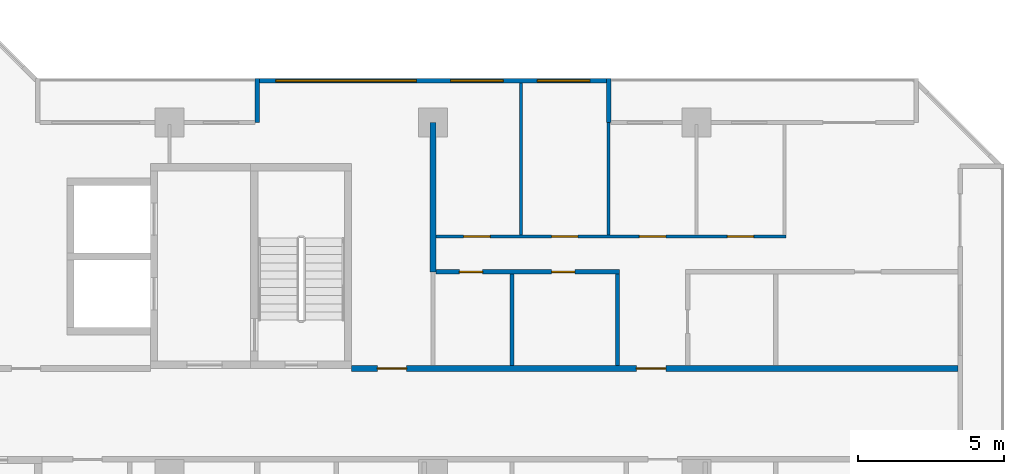
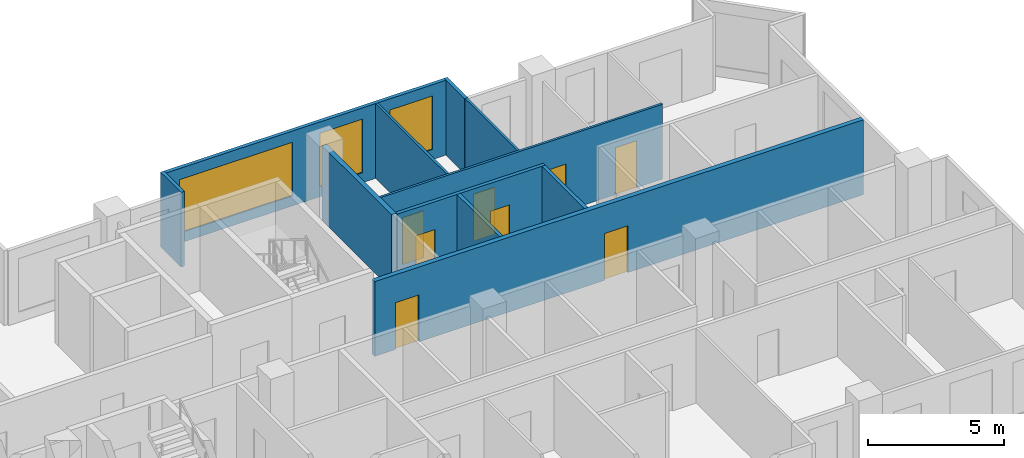
# One storey, part 8 of 15: 11 walls, 8 doors, 3 windows, 11 openings.
"""IFC4 building model written with IfcOpenShell, lengths in metres."""

import ifcopenshell
import ifcopenshell.guid

model = None  # the IFC model being written
_history = None  # IfcOwnerHistory: only IFC2X3 demands one
_inside = {}  # id of a spatial element -> (the spatial element, [elements in it])
_under = {}  # id of a project, library or spatial element -> (it, [spatial elements below it])
_declared = {}  # id of a project -> (the project, [libraries it declares])
_typed = {}  # id of a type object -> (the type object, [elements of that type])
_made_of = {}  # id of a material, layer set ... -> (it, [elements and type objects made of it])


def new_model(schema):
    """Start an empty IFC model of exactly this schema.

    Asked for "IFC4X3", IfcOpenShell would pick the latest addendum, in which some entities
    have other attributes; the version numbers below select the first issue.
    IFC2X3 requires an IfcOwnerHistory on every rooted entity: one is made here for all.
    """
    global model, _history
    if schema == "IFC4X3":
        model = ifcopenshell.file(schema_version=(4, 3, 0, 0))
    else:
        model = ifcopenshell.file(schema=schema)
    _inside.clear()
    _under.clear()
    _declared.clear()
    _typed.clear()
    _made_of.clear()
    _history = None
    if model.schema == "IFC2X3":
        org = make("IfcOrganization", Name="unknown")
        user = make(
            "IfcPersonAndOrganization",
            ThePerson=make("IfcPerson", FamilyName="unknown"),
            TheOrganization=org,
        )
        app = make(
            "IfcApplication",
            ApplicationDeveloper=org,
            Version="unknown",
            ApplicationFullName="unknown",
            ApplicationIdentifier="unknown",
        )
        _history = make(
            "IfcOwnerHistory",
            OwningUser=user,
            OwningApplication=app,
            ChangeAction="ADDED",
            CreationDate=0,
        )
    return model


def make(cls, **values):
    """One entity of the class cls with the attributes given. An attribute that is None is left unset."""
    return model.create_entity(
        cls, **{name: value for name, value in values.items() if value is not None}
    )


def rooted(cls, **values):
    """An entity with a GlobalId (a new one), such as an element, a storey or a relation."""
    return make(cls, GlobalId=ifcopenshell.guid.new(), OwnerHistory=_history, **values)


def si_unit(unit_type, name, prefix=None):
    """IfcSIUnit, for example si_unit("LENGTHUNIT", "METRE", prefix="MILLI")."""
    return make("IfcSIUnit", UnitType=unit_type, Prefix=prefix, Name=name)


def assignment(units):
    """IfcUnitAssignment: the units of a project."""
    return None if units is None else make("IfcUnitAssignment", Units=units)


def point(xyz):
    """IfcCartesianPoint."""
    return None if xyz is None else make("IfcCartesianPoint", Coordinates=xyz)


def direction(xyz):
    """IfcDirection."""
    return None if xyz is None else make("IfcDirection", DirectionRatios=xyz)


def frame(location, z_axis=None, x_axis=None):
    """IfcAxis2Placement3D, a coordinate frame: its origin and axes. An axis left out is left unset."""
    return make(
        "IfcAxis2Placement3D",
        Location=point(location),
        Axis=direction(z_axis),
        RefDirection=direction(x_axis),
    )


def frame_2d(location, x_axis=None):
    """IfcAxis2Placement2D, a coordinate frame in the plane: its origin and x axis."""
    return make(
        "IfcAxis2Placement2D", Location=point(location), RefDirection=direction(x_axis)
    )


def origin():
    """The frame at (0, 0, 0) with its axes left unset."""
    return frame((0.0, 0.0, 0.0))


def place(relative_to, where):
    """IfcLocalPlacement: puts the frame where relative to a parent placement (None: the world)."""
    return make(
        "IfcLocalPlacement", PlacementRelTo=relative_to, RelativePlacement=where
    )


def context(
    kind, dimensions, precision=None, world=None, true_north=None, identifier=None
):
    """IfcGeometricRepresentationContext, for example the 3D "Model" context."""
    return make(
        "IfcGeometricRepresentationContext",
        ContextIdentifier=identifier,
        ContextType=kind,
        CoordinateSpaceDimension=dimensions,
        Precision=precision,
        WorldCoordinateSystem=world,
        TrueNorth=true_north,
    )


def subcontext(parent, identifier, kind, view, scale=None):
    """IfcGeometricRepresentationSubContext, for example "Body" below "Model"."""
    return make(
        "IfcGeometricRepresentationSubContext",
        ContextIdentifier=identifier,
        ContextType=kind,
        ParentContext=parent,
        TargetScale=scale,
        TargetView=view,
    )


def project(units=None, contexts=None):
    """IfcProject with its units and contexts."""
    return rooted(
        "IfcProject",
        Name="project",
        RepresentationContexts=contexts,
        UnitsInContext=assignment(units),
    )


def spatial(cls, under=None, at=None, **own):
    """A site, building, storey or space (cls), placed at a placement, below another one or the project."""
    s = rooted(cls, ObjectPlacement=at, **own)
    if under is not None:
        _under.setdefault(under.id(), (under, []))[1].append(s)
    return s


def profile(cls, at=None, kind="AREA", **sizes):
    """A parametric profile (cls). Its sizes go by their IFC names, for example OverallWidth=200.0."""
    return make(cls, ProfileType=kind, Position=at, **sizes)


def rectangle(**sizes):
    """IfcRectangleProfileDef."""
    return profile("IfcRectangleProfileDef", **sizes)


def extrude(swept, where, along, depth):
    """IfcExtrudedAreaSolid: the profile swept, set in the frame where, extruded along a direction by depth."""
    return make(
        "IfcExtrudedAreaSolid",
        SweptArea=swept,
        Position=where,
        ExtrudedDirection=direction(along),
        Depth=depth,
    )


def shape(context_of_items, identifier, shape_type, items):
    """IfcShapeRepresentation: the items that make up one representation, for example the "Body"."""
    return make(
        "IfcShapeRepresentation",
        ContextOfItems=context_of_items,
        RepresentationIdentifier=identifier,
        RepresentationType=shape_type,
        Items=items,
    )


def material(Name=None, Category=None):
    """IfcMaterial."""
    return make("IfcMaterial", Name=Name, Category=Category)


def layer(
    of_material, thickness, ventilated=None, Name=None, Category=None, Priority=None
):
    """IfcMaterialLayer: one layer of a wall or slab, of a material (None: an air gap)."""
    return make(
        "IfcMaterialLayer",
        Material=of_material,
        LayerThickness=thickness,
        IsVentilated=ventilated,
        Name=Name,
        Category=Category,
        Priority=Priority,
    )


def layer_set(layers, Name=None):
    """IfcMaterialLayerSet."""
    return make("IfcMaterialLayerSet", MaterialLayers=layers, LayerSetName=Name)


def made_of(thing, what):
    """Note that an element or type object is made of a material, layer set ...; save() writes the relation."""
    if what is not None:
        _made_of.setdefault(what.id(), (what, []))[1].append(thing)
    return thing


def type_object(cls, material=None, **own):
    """A type object (cls), such as IfcWallType, which elements share."""
    return made_of(rooted(cls, **own), material)


def element(
    cls,
    number,
    at=None,
    inside=None,
    cuts=None,
    type_object=None,
    material=None,
    context=None,
    identifier="Body",
    shape_type=None,
    held_by="IfcProductDefinitionShape",
    body=None,
    shapes=None,
    **own,
):
    """One element of the class cls, such as IfcWall. Its Tag is "e" and its number.

    at: its placement. inside: the storey or other place that contains it. cuts: it is an
    opening in that element (IfcRelVoidsElement). A single representation is given by context,
    identifier, shape_type and body (its items); several are given by shapes. held_by: the class
    of the entity that holds the representations. save() writes the other relations.
    """
    e = rooted(cls, Tag="e%d" % number, ObjectPlacement=at, **own)
    if body is not None:
        shapes = [shape(context, identifier, shape_type, body)]
    if shapes is not None:
        e.Representation = make(held_by, Representations=shapes)
    if inside is not None:
        _inside.setdefault(inside.id(), (inside, []))[1].append(e)
    if cuts is not None:
        rooted(
            "IfcRelVoidsElement", RelatingBuildingElement=cuts, RelatedOpeningElement=e
        )
    if type_object is not None:
        _typed.setdefault(type_object.id(), (type_object, []))[1].append(e)
    return made_of(e, material)


def fill(opening, filler):
    """IfcRelFillsElement: the door or window that sits in an opening."""
    return rooted(
        "IfcRelFillsElement",
        RelatingOpeningElement=opening,
        RelatedBuildingElement=filler,
    )


def aggregate(whole, parts):
    """IfcRelAggregates: a whole, such as a stair, and the parts it consists of."""
    return rooted("IfcRelAggregates", RelatingObject=whole, RelatedObjects=parts)


def save(model, path):
    """Write the relations noted so far, then the file.

    IfcRelAggregates (storeys below a building ...), IfcRelContainedInSpatialStructure (elements
    in a storey), IfcRelDefinesByType, IfcRelAssociatesMaterial and IfcRelDeclares: one each for
    every whole, place, type object, material and project.
    """
    for whole, parts in _under.values():
        aggregate(whole, parts)
    for where, things in _inside.values():
        rooted(
            "IfcRelContainedInSpatialStructure",
            RelatedElements=things,
            RelatingStructure=where,
        )
    for kind, things in _typed.values():
        rooted("IfcRelDefinesByType", RelatedObjects=things, RelatingType=kind)
    for what, things in _made_of.values():
        rooted("IfcRelAssociatesMaterial", RelatedObjects=things, RelatingMaterial=what)
    for by, libraries in _declared.values():
        rooted("IfcRelDeclares", RelatingContext=by, RelatedDefinitions=libraries)
    model.write(path)


model = new_model("IFC4")

# Units and contexts
model_context = context("Model", 3, precision=1e-05, world=origin(), true_north=direction((0.0, 1.0)))
body_context = subcontext(model_context, "Body", "Model", "MODEL_VIEW")
ifc_project = project(units=[si_unit("LENGTHUNIT", "METRE"), si_unit("AREAUNIT", "SQUARE_METRE"), si_unit("VOLUMEUNIT", "CUBIC_METRE"), si_unit("PLANEANGLEUNIT", "RADIAN"), si_unit("MASSUNIT", "GRAM", prefix="KILO")], contexts=[model_context])

# Site, building, storey
site_placement = place(None, origin())
site = spatial("IfcSite", under=ifc_project, at=site_placement, CompositionType="ELEMENT")
building_placement = place(site_placement, origin())
building = spatial("IfcBuilding", under=site, at=building_placement, Name="Chenar Terraces", CompositionType="ELEMENT")
storey_placement = place(building_placement, frame((0.0, 0.0, 118.14990234375)))
storey = spatial("IfcBuildingStorey", under=building, at=storey_placement, Name="L27", CompositionType="ELEMENT", Elevation=118.14990234375)

# Wall, openings, doors
ifc_material_1 = material(Name="Gypsum board on steel studs with fire boards", Category="steel")
ifc_layer_1 = layer(ifc_material_1, 0.199951171875)
ifc_layer_set_1 = layer_set([ifc_layer_1], Name="Gypsum board on steel studs with fire boards")
wall_type_1 = type_object("IfcWallType", Name="Corridor wall 200", PredefinedType="PARTITIONING", material=ifc_layer_set_1)
wall_1_placement = place(storey_placement, frame((51.22509765625, 15.60009765625, 0.0), z_axis=(0.0, 0.0, 1.0), x_axis=(1.0, 0.0, 0.0)))
wall_1 = element("IfcWall", 1, at=wall_1_placement, inside=storey, type_object=wall_type_1, Name="Partition L27-075", PredefinedType="PARTITIONING", context=body_context, shape_type="SweptSolid", body=[
    extrude(rectangle(XDim=20.700927734375, YDim=0.199951171875, at=frame_2d((10.3505859375, 0.0))), origin(), (0.0, 0.0, 1.0), 3.35009765625),
])
opening_1_placement = place(wall_1_placement, frame((9.72509765625, 0.0, 0.0)))
opening_1 = element("IfcOpeningElement", 2, at=opening_1_placement, cuts=wall_1, Name="Opening DL27-10", PredefinedType="OPENING", context=body_context, shape_type="SweptSolid", body=[
    extrude(rectangle(XDim=1.0, YDim=2.10009765625, at=frame_2d((0.5, 1.050048828125))), frame((0.0, 0.10986328125, 0.0), z_axis=(0.0, -1.0, 0.0), x_axis=(1.0, 0.0, 0.0)), (0.0, 0.0, 1.0), 0.219970703125),
])
opening_2_placement = place(wall_1_placement, frame((0.875, 0.0, 0.0)))
opening_2 = element("IfcOpeningElement", 3, at=opening_2_placement, cuts=wall_1, Name="Opening DL27-55", PredefinedType="OPENING", context=body_context, shape_type="SweptSolid", body=[
    extrude(rectangle(XDim=1.0, YDim=2.10009765625, at=frame_2d((0.5, 1.050048828125))), frame((0.0, 0.10986328125, 0.0), z_axis=(0.0, -1.0, 0.0), x_axis=(1.0, 0.0, 0.0)), (0.0, 0.0, 1.0), 0.219970703125),
])
ifc_material_2 = material(Name="Steel-framed fire-resisting door leaf", Category="steel")
door_type_1 = type_object("IfcDoorType", Name="Fire door FD30S 1000 x 2100", OperationType="SINGLE_SWING_LEFT", PredefinedType="DOOR", material=ifc_material_2)
door_1_placement = place(opening_1_placement, origin())
door_1 = element("IfcDoor", 4, at=door_1_placement, inside=storey, type_object=door_type_1, Name="Door DL27-10", OperationType="SINGLE_SWING_LEFT", OverallHeight=2.10009765625, OverallWidth=1.0, PredefinedType="DOOR", context=body_context, shape_type="SweptSolid", body=[
    extrude(rectangle(XDim=1.0, YDim=2.10009765625, at=frame_2d((0.5, 1.050048828125))), frame((0.0, 0.02490234375, 0.0), z_axis=(0.0, -1.0, 0.0), x_axis=(1.0, 0.0, 0.0)), (0.0, 0.0, 1.0), 0.050048828125),
])
fill(opening_1, door_1)
door_2_placement = place(opening_2_placement, origin())
door_2 = element("IfcDoor", 5, at=door_2_placement, inside=storey, type_object=door_type_1, Name="Door DL27-55", OperationType="SINGLE_SWING_RIGHT", OverallHeight=2.10009765625, OverallWidth=1.0, PredefinedType="DOOR", context=body_context, shape_type="SweptSolid", body=[
    extrude(rectangle(XDim=1.0, YDim=2.10009765625, at=frame_2d((0.5, 1.050048828125))), frame((0.0, 0.02490234375, 0.0), z_axis=(0.0, -1.0, 0.0), x_axis=(1.0, 0.0, 0.0)), (0.0, 0.0, 1.0), 0.050048828125),
])
fill(opening_2, door_2)

# Wall, openings, windows
ifc_material_3 = material(Name="Aluminium framed glazing", Category="aluminium")
ifc_layer_2 = layer(ifc_material_3, 0.14990234375)
ifc_layer_set_2 = layer_set([ifc_layer_2], Name="Aluminium framed glazing")
wall_type_2 = type_object("IfcWallType", Name="Glazed flush facade wall 150", PredefinedType="SOLIDWALL", material=ifc_layer_set_2)
wall_2_placement = place(storey_placement, frame((59.925048828125, 25.425048828125, 0.0), z_axis=(0.0, 0.0, 1.0), x_axis=(-1.0, 0.0, 0.0)))
wall_2 = element("IfcWall", 6, at=wall_2_placement, inside=storey, type_object=wall_type_2, Name="Glazed flush facade wall", PredefinedType="SOLIDWALL", context=body_context, shape_type="SweptSolid", body=[
    extrude(rectangle(XDim=11.85009765625, YDim=0.14990234375, at=frame_2d((5.925048828125, 0.0))), origin(), (0.0, 0.0, 1.0), 3.35009765625),
])
opening_3_placement = place(wall_2_placement, frame((0.5625, 0.0, 0.449951171875)))
opening_3 = element("IfcOpeningElement", 7, at=opening_3_placement, cuts=wall_2, Name="Opening W180x240", PredefinedType="OPENING", context=body_context, shape_type="SweptSolid", body=[
    extrude(rectangle(XDim=1.800048828125, YDim=2.39990234375, at=frame_2d((0.89990234375, 1.199951171875))), frame((0.0, 0.0849609375, 0.0), z_axis=(0.0, -1.0, 0.0), x_axis=(1.0, 0.0, 0.0)), (0.0, 0.0, 1.0), 0.169921875),
])
opening_4_placement = place(wall_2_placement, frame((3.52490234375, 0.0, 0.449951171875)))
opening_4 = element("IfcOpeningElement", 8, at=opening_4_placement, cuts=wall_2, Name="Opening W180x240", PredefinedType="OPENING", context=body_context, shape_type="SweptSolid", body=[
    extrude(rectangle(XDim=1.800048828125, YDim=2.39990234375, at=frame_2d((0.89990234375, 1.199951171875))), frame((0.0, 0.0849609375, 0.0), z_axis=(0.0, -1.0, 0.0), x_axis=(1.0, 0.0, 0.0)), (0.0, 0.0, 1.0), 0.169921875),
])
opening_5_placement = place(wall_2_placement, frame((6.487548828125, 0.0, 0.449951171875)))
opening_5 = element("IfcOpeningElement", 9, at=opening_5_placement, cuts=wall_2, Name="Opening W480x240", PredefinedType="OPENING", context=body_context, shape_type="SweptSolid", body=[
    extrude(rectangle(XDim=4.800048828125, YDim=2.39990234375, at=frame_2d((2.39990234375, 1.199951171875))), frame((0.0, 0.0849609375, 0.0), z_axis=(0.0, -1.0, 0.0), x_axis=(1.0, 0.0, 0.0)), (0.0, 0.0, 1.0), 0.169921875),
])
ifc_material_4 = material(Name="Low emissivity double glazing, aluminium frame", Category="aluminium")
window_type_1 = type_object("IfcWindowType", Name="Fixed light 1800 x 2400", PartitioningType="SINGLE_PANEL", PredefinedType="WINDOW", material=ifc_material_4)
window_1_placement = place(opening_3_placement, origin())
window_1 = element("IfcWindow", 10, at=window_1_placement, inside=storey, type_object=window_type_1, Name="Window", OverallHeight=2.39990234375, OverallWidth=1.800048828125, PartitioningType="SINGLE_PANEL", PredefinedType="WINDOW", context=body_context, shape_type="SweptSolid", body=[
    extrude(rectangle(XDim=1.800048828125, YDim=2.39990234375, at=frame_2d((0.89990234375, 1.199951171875))), frame((0.0, 0.030029296875, 0.0), z_axis=(0.0, -1.0, 0.0), x_axis=(1.0, 0.0, 0.0)), (0.0, 0.0, 1.0), 0.06005859375),
])
fill(opening_3, window_1)
window_2_placement = place(opening_4_placement, origin())
window_2 = element("IfcWindow", 11, at=window_2_placement, inside=storey, type_object=window_type_1, Name="Window", OverallHeight=2.39990234375, OverallWidth=1.800048828125, PartitioningType="SINGLE_PANEL", PredefinedType="WINDOW", context=body_context, shape_type="SweptSolid", body=[
    extrude(rectangle(XDim=1.800048828125, YDim=2.39990234375, at=frame_2d((0.89990234375, 1.199951171875))), frame((0.0, 0.030029296875, 0.0), z_axis=(0.0, -1.0, 0.0), x_axis=(1.0, 0.0, 0.0)), (0.0, 0.0, 1.0), 0.06005859375),
])
fill(opening_4, window_2)
ifc_material_5 = material(Name="Low emissivity double glazing, aluminium frame", Category="aluminium")
window_type_2 = type_object("IfcWindowType", Name="Fixed light 4800 x 2400", PartitioningType="SINGLE_PANEL", PredefinedType="WINDOW", material=ifc_material_5)
window_3_placement = place(opening_5_placement, origin())
window_3 = element("IfcWindow", 12, at=window_3_placement, inside=storey, type_object=window_type_2, Name="Window", OverallHeight=2.39990234375, OverallWidth=4.800048828125, PartitioningType="SINGLE_PANEL", PredefinedType="WINDOW", context=body_context, shape_type="SweptSolid", body=[
    extrude(rectangle(XDim=4.800048828125, YDim=2.39990234375, at=frame_2d((2.39990234375, 1.199951171875))), frame((0.0, 0.030029296875, 0.0), z_axis=(0.0, -1.0, 0.0), x_axis=(1.0, 0.0, 0.0)), (0.0, 0.0, 1.0), 0.06005859375),
])
fill(opening_5, window_3)

# Wall, openings, doors
ifc_material_6 = material(Name="Gypsum board on steel studs", Category="steel")
ifc_layer_3 = layer(ifc_material_6, 0.10009765625)
ifc_layer_set_3 = layer_set([ifc_layer_3], Name="Gypsum board on steel studs")
wall_type_3 = type_object("IfcWallType", Name="Gypsum partition 100", PredefinedType="PARTITIONING", material=ifc_layer_set_3)
wall_3_placement = place(storey_placement, frame((54.10009765625, 20.10009765625, 0.0), z_axis=(0.0, 0.0, 1.0), x_axis=(1.0, 0.0, 0.0)))
wall_3 = element("IfcWall", 13, at=wall_3_placement, inside=storey, type_object=wall_type_3, Name="Partition L27-082", PredefinedType="PARTITIONING", context=body_context, shape_type="SweptSolid", body=[
    extrude(rectangle(XDim=11.949951171875, YDim=0.10009765625, at=frame_2d((5.97509765625, 0.0))), origin(), (0.0, 0.0, 1.0), 3.35009765625),
])
opening_6_placement = place(wall_3_placement, frame((0.949951171875, 0.0, 0.0)))
opening_6 = element("IfcOpeningElement", 14, at=opening_6_placement, cuts=wall_3, Name="Opening DL27-5", PredefinedType="OPENING", context=body_context, shape_type="SweptSolid", body=[
    extrude(rectangle(XDim=0.89990234375, YDim=2.10009765625, at=frame_2d((0.449951171875, 1.050048828125))), frame((0.0, 0.06005859375, 0.0), z_axis=(0.0, -1.0, 0.0), x_axis=(1.0, 0.0, 0.0)), (0.0, 0.0, 1.0), 0.1201171875),
])
opening_7_placement = place(wall_3_placement, frame((3.949951171875, 0.0, 0.0)))
opening_7 = element("IfcOpeningElement", 15, at=opening_7_placement, cuts=wall_3, Name="Opening DL27-6", PredefinedType="OPENING", context=body_context, shape_type="SweptSolid", body=[
    extrude(rectangle(XDim=0.89990234375, YDim=2.10009765625, at=frame_2d((0.449951171875, 1.050048828125))), frame((0.0, 0.06005859375, 0.0), z_axis=(0.0, -1.0, 0.0), x_axis=(1.0, 0.0, 0.0)), (0.0, 0.0, 1.0), 0.1201171875),
])
opening_8_placement = place(wall_3_placement, frame((6.949951171875, 0.0, 0.0)))
opening_8 = element("IfcOpeningElement", 16, at=opening_8_placement, cuts=wall_3, Name="Opening DL27-7", PredefinedType="OPENING", context=body_context, shape_type="SweptSolid", body=[
    extrude(rectangle(XDim=0.89990234375, YDim=2.10009765625, at=frame_2d((0.449951171875, 1.050048828125))), frame((0.0, 0.06005859375, 0.0), z_axis=(0.0, -1.0, 0.0), x_axis=(1.0, 0.0, 0.0)), (0.0, 0.0, 1.0), 0.1201171875),
])
opening_9_placement = place(wall_3_placement, frame((9.949951171875, 0.0, 0.0)))
opening_9 = element("IfcOpeningElement", 17, at=opening_9_placement, cuts=wall_3, Name="Opening DL27-11", PredefinedType="OPENING", context=body_context, shape_type="SweptSolid", body=[
    extrude(rectangle(XDim=0.89990234375, YDim=2.10009765625, at=frame_2d((0.449951171875, 1.050048828125))), frame((0.0, 0.06005859375, 0.0), z_axis=(0.0, -1.0, 0.0), x_axis=(1.0, 0.0, 0.0)), (0.0, 0.0, 1.0), 0.1201171875),
])
ifc_material_7 = material(Name="Veneered timber door leaf", Category="wood")
door_type_2 = type_object("IfcDoorType", Name="Door 900 x 2100", OperationType="SINGLE_SWING_LEFT", PredefinedType="DOOR", material=ifc_material_7)
door_3_placement = place(opening_6_placement, origin())
door_3 = element("IfcDoor", 18, at=door_3_placement, inside=storey, type_object=door_type_2, Name="Door DL27-5", OperationType="SINGLE_SWING_RIGHT", OverallHeight=2.10009765625, OverallWidth=0.89990234375, PredefinedType="DOOR", context=body_context, shape_type="SweptSolid", body=[
    extrude(rectangle(XDim=0.89990234375, YDim=2.10009765625, at=frame_2d((0.449951171875, 1.050048828125))), frame((0.0, 0.02490234375, 0.0), z_axis=(0.0, -1.0, 0.0), x_axis=(1.0, 0.0, 0.0)), (0.0, 0.0, 1.0), 0.050048828125),
])
fill(opening_6, door_3)
door_4_placement = place(opening_7_placement, origin())
door_4 = element("IfcDoor", 19, at=door_4_placement, inside=storey, type_object=door_type_2, Name="Door DL27-6", OperationType="SINGLE_SWING_RIGHT", OverallHeight=2.10009765625, OverallWidth=0.89990234375, PredefinedType="DOOR", context=body_context, shape_type="SweptSolid", body=[
    extrude(rectangle(XDim=0.89990234375, YDim=2.10009765625, at=frame_2d((0.449951171875, 1.050048828125))), frame((0.0, 0.02490234375, 0.0), z_axis=(0.0, -1.0, 0.0), x_axis=(1.0, 0.0, 0.0)), (0.0, 0.0, 1.0), 0.050048828125),
])
fill(opening_7, door_4)
door_5_placement = place(opening_8_placement, origin())
door_5 = element("IfcDoor", 20, at=door_5_placement, inside=storey, type_object=door_type_2, Name="Door DL27-7", OperationType="SINGLE_SWING_RIGHT", OverallHeight=2.10009765625, OverallWidth=0.89990234375, PredefinedType="DOOR", context=body_context, shape_type="SweptSolid", body=[
    extrude(rectangle(XDim=0.89990234375, YDim=2.10009765625, at=frame_2d((0.449951171875, 1.050048828125))), frame((0.0, 0.02490234375, 0.0), z_axis=(0.0, -1.0, 0.0), x_axis=(1.0, 0.0, 0.0)), (0.0, 0.0, 1.0), 0.050048828125),
])
fill(opening_8, door_5)
door_6_placement = place(opening_9_placement, origin())
door_6 = element("IfcDoor", 21, at=door_6_placement, inside=storey, type_object=door_type_2, Name="Door DL27-11", OperationType="SINGLE_SWING_RIGHT", OverallHeight=2.10009765625, OverallWidth=0.89990234375, PredefinedType="DOOR", context=body_context, shape_type="SweptSolid", body=[
    extrude(rectangle(XDim=0.89990234375, YDim=2.10009765625, at=frame_2d((0.449951171875, 1.050048828125))), frame((0.0, 0.02490234375, 0.0), z_axis=(0.0, -1.0, 0.0), x_axis=(1.0, 0.0, 0.0)), (0.0, 0.0, 1.0), 0.050048828125),
])
fill(opening_9, door_6)

# Walls
wall_4_placement = place(storey_placement, frame((57.0, 20.14990234375, 0.0), z_axis=(0.0, 0.0, 1.0), x_axis=(0.0, 1.0, 0.0)))
element("IfcWall", 22, at=wall_4_placement, inside=storey, type_object=wall_type_3, Name="Partition L27-086", PredefinedType="PARTITIONING", context=body_context, shape_type="SweptSolid", body=[
    extrude(rectangle(XDim=5.201171875, YDim=0.10009765625, at=frame_2d((2.6005859375, 0.0))), origin(), (0.0, 0.0, 1.0), 3.35009765625),
])
wall_5_placement = place(storey_placement, frame((60.0, 20.14990234375, 0.0), z_axis=(0.0, 0.0, 1.0), x_axis=(0.0, 1.0, 0.0)))
element("IfcWall", 23, at=wall_5_placement, inside=storey, type_object=wall_type_3, Name="Partition L27-088", PredefinedType="PARTITIONING", context=body_context, shape_type="SweptSolid", body=[
    extrude(rectangle(XDim=3.85009765625, YDim=0.10009765625, at=frame_2d((1.925048828125, 0.0))), origin(), (0.0, 0.0, 1.0), 3.35009765625),
])
ifc_material_8 = material(Name="Terracotta cladding on insulated backing", Category="masonry")
ifc_layer_4 = layer(ifc_material_8, 0.14990234375)
ifc_layer_set_4 = layer_set([ifc_layer_4], Name="Terracotta cladding on insulated backing")
wall_type_4 = type_object("IfcWallType", Name="Loggia return wall 150", PredefinedType="SOLIDWALL", material=ifc_layer_set_4)
for number, where, z_axis, x_axis, name in (
    (24, (60.0, 25.5, 0.0), (0.0, 0.0, 1.0), (0.0, -1.0, 0.0), "Loggia return wall"),
    (25, (48.0, 25.5, 0.0), (0.0, 0.0, 1.0), (0.0, -1.0, 0.0), "Loggia return wall"),
):
    element("IfcWall", number, at=place(storey_placement, frame(where, z_axis=z_axis, x_axis=x_axis)), inside=storey, type_object=wall_type_4, Name=name, PredefinedType="SOLIDWALL", context=body_context, shape_type="SweptSolid", body=[
        extrude(rectangle(XDim=1.5, YDim=0.14990234375, at=frame_2d((0.75, 0.0))), origin(), (0.0, 0.0, 1.0), 3.35009765625),
    ])
ifc_material_9 = material(Name="Twin gypsum board on steel studs with mineral wool", Category="steel")
ifc_layer_5 = layer(ifc_material_9, 0.199951171875)
ifc_layer_set_5 = layer_set([ifc_layer_5], Name="Twin gypsum board on steel studs with mineral wool")
wall_type_5 = type_object("IfcWallType", Name="Unit demising wall 200", PredefinedType="PARTITIONING", material=ifc_layer_set_5)
wall_6_placement = place(storey_placement, frame((54.0, 18.89990234375, 0.0), z_axis=(0.0, 0.0, 1.0), x_axis=(0.0, 1.0, 0.0)))
element("IfcWall", 26, at=wall_6_placement, inside=storey, type_object=wall_type_5, Name="Partition L27-079", PredefinedType="PARTITIONING", context=body_context, shape_type="SweptSolid", body=[
    extrude(rectangle(XDim=5.10009765625, YDim=0.199951171875, at=frame_2d((2.550048828125, 0.0))), origin(), (0.0, 0.0, 1.0), 3.35009765625),
])

# Wall, openings, doors
ifc_material_10 = material(Name="Moisture-resistant gypsum board on steel studs", Category="steel")
ifc_layer_6 = layer(ifc_material_10, 0.14990234375)
ifc_layer_set_6 = layer_set([ifc_layer_6], Name="Moisture-resistant gypsum board on steel studs")
wall_type_6 = type_object("IfcWallType", Name="Wet-room partition 150", PredefinedType="PARTITIONING", material=ifc_layer_set_6)
wall_7_placement = place(storey_placement, frame((54.10009765625, 18.89990234375, 0.0), z_axis=(0.0, 0.0, 1.0), x_axis=(1.0, 0.0, 0.0)))
wall_7 = element("IfcWall", 27, at=wall_7_placement, inside=storey, type_object=wall_type_6, Name="Partition L27-081", PredefinedType="PARTITIONING", context=body_context, shape_type="SweptSolid", body=[
    extrude(rectangle(XDim=6.27490234375, YDim=0.14990234375, at=frame_2d((3.137451171875, 0.0))), origin(), (0.0, 0.0, 1.0), 3.35009765625),
])
opening_10_placement = place(wall_7_placement, frame((3.949951171875, 0.0, 0.0)))
opening_10 = element("IfcOpeningElement", 28, at=opening_10_placement, cuts=wall_7, Name="Opening DL27-4", PredefinedType="OPENING", context=body_context, shape_type="SweptSolid", body=[
    extrude(rectangle(XDim=0.800048828125, YDim=2.10009765625, at=frame_2d((0.39990234375, 1.050048828125))), frame((0.0, 0.0849609375, 0.0), z_axis=(0.0, -1.0, 0.0), x_axis=(1.0, 0.0, 0.0)), (0.0, 0.0, 1.0), 0.169921875),
])
opening_11_placement = place(wall_7_placement, frame((0.800048828125, 0.0, 0.0)))
opening_11 = element("IfcOpeningElement", 29, at=opening_11_placement, cuts=wall_7, Name="Opening DL27-9", PredefinedType="OPENING", context=body_context, shape_type="SweptSolid", body=[
    extrude(rectangle(XDim=0.800048828125, YDim=2.10009765625, at=frame_2d((0.39990234375, 1.050048828125))), frame((0.0, 0.0849609375, 0.0), z_axis=(0.0, -1.0, 0.0), x_axis=(1.0, 0.0, 0.0)), (0.0, 0.0, 1.0), 0.169921875),
])
ifc_material_11 = material(Name="Veneered timber door leaf", Category="wood")
door_type_3 = type_object("IfcDoorType", Name="Door 800 x 2100", OperationType="SINGLE_SWING_LEFT", PredefinedType="DOOR", material=ifc_material_11)
door_7_placement = place(opening_10_placement, frame((0.800048828125, 0.0, 0.0), z_axis=(0.0, 0.0, 1.0), x_axis=(-1.0, 0.0, 0.0)))
door_7 = element("IfcDoor", 30, at=door_7_placement, inside=storey, type_object=door_type_3, Name="Door DL27-4", OperationType="SINGLE_SWING_RIGHT", OverallHeight=2.10009765625, OverallWidth=0.800048828125, PredefinedType="DOOR", context=body_context, shape_type="SweptSolid", body=[
    extrude(rectangle(XDim=0.800048828125, YDim=2.10009765625, at=frame_2d((0.39990234375, 1.050048828125))), frame((0.0, 0.02490234375, 0.0), z_axis=(0.0, -1.0, 0.0), x_axis=(1.0, 0.0, 0.0)), (0.0, 0.0, 1.0), 0.050048828125),
])
fill(opening_10, door_7)
door_8_placement = place(opening_11_placement, frame((0.800048828125, 0.0, 0.0), z_axis=(0.0, 0.0, 1.0), x_axis=(-1.0, 0.0, 0.0)))
door_8 = element("IfcDoor", 31, at=door_8_placement, inside=storey, type_object=door_type_3, Name="Door DL27-9", OperationType="SINGLE_SWING_RIGHT", OverallHeight=2.10009765625, OverallWidth=0.800048828125, PredefinedType="DOOR", context=body_context, shape_type="SweptSolid", body=[
    extrude(rectangle(XDim=0.800048828125, YDim=2.10009765625, at=frame_2d((0.39990234375, 1.050048828125))), frame((0.0, 0.02490234375, 0.0), z_axis=(0.0, -1.0, 0.0), x_axis=(1.0, 0.0, 0.0)), (0.0, 0.0, 1.0), 0.050048828125),
])
fill(opening_11, door_8)

# Walls
for number, where, z_axis, x_axis, name in (
    (32, (56.699951171875, 15.699951171875, 0.0), (0.0, 0.0, 1.0), (0.0, 1.0, 0.0), "Partition L27-084"),
    (33, (60.300048828125, 15.699951171875, 0.0), (0.0, 0.0, 1.0), (0.0, 1.0, 0.0), "Partition L27-089"),
):
    element("IfcWall", number, at=place(storey_placement, frame(where, z_axis=z_axis, x_axis=x_axis)), inside=storey, type_object=wall_type_6, Name=name, PredefinedType="PARTITIONING", context=body_context, shape_type="SweptSolid", body=[
        extrude(rectangle(XDim=3.125, YDim=0.14990234375, at=frame_2d((1.5625, 0.0))), origin(), (0.0, 0.0, 1.0), 3.35009765625),
    ])

save(model, "model.ifc")
